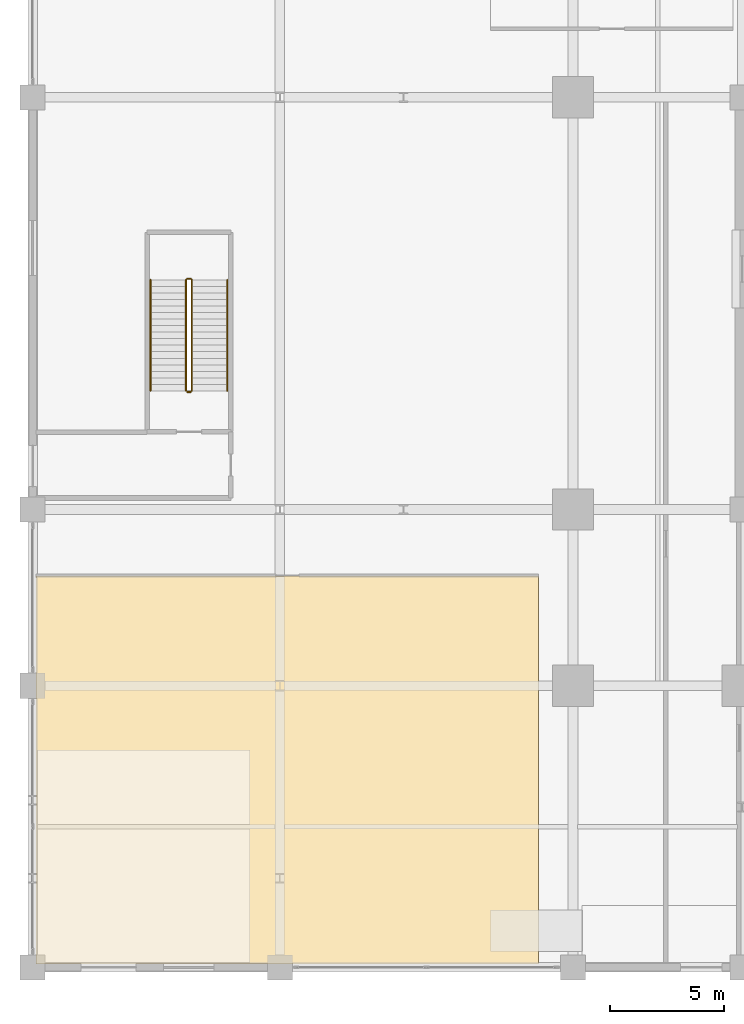
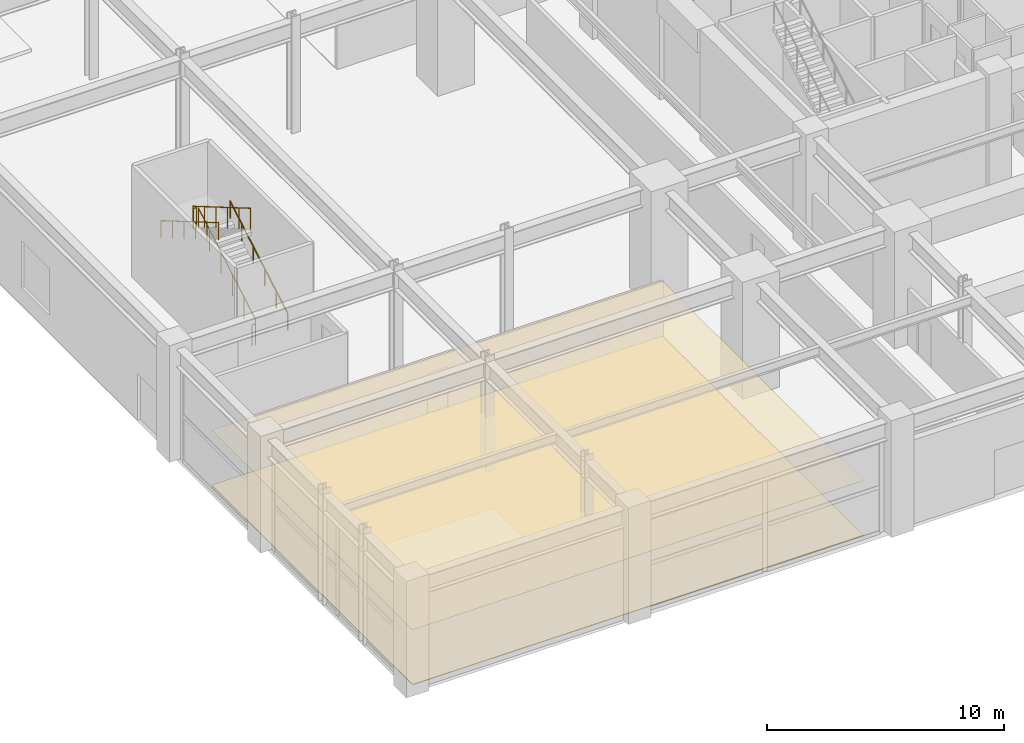
# One storey, part 35 of 41: 6 railings, 2 coverings.
"""IFC4 building model written with IfcOpenShell, lengths in metres."""

from ifc_helpers import new_model, si_unit, direction, frame, origin, origin_2d, place, context, subcontext, project, spatial, polyline, circle, outline, extrude, material, layer, layer_set, type_object, element, save


model = new_model("IFC4")

# Units and contexts
model_context = context("Model", 3, precision=1e-05, world=origin(), true_north=direction((0.0, 1.0)))
body_context = subcontext(model_context, "Body", "Model", "MODEL_VIEW")
ifc_project = project(units=[si_unit("LENGTHUNIT", "METRE"), si_unit("AREAUNIT", "SQUARE_METRE"), si_unit("VOLUMEUNIT", "CUBIC_METRE"), si_unit("PLANEANGLEUNIT", "RADIAN"), si_unit("MASSUNIT", "GRAM", prefix="KILO")], contexts=[model_context])

# Site, building, storey
site_placement = place(None, origin())
site = spatial("IfcSite", under=ifc_project, at=site_placement, CompositionType="ELEMENT")
building_placement = place(site_placement, origin())
building = spatial("IfcBuilding", under=site, at=building_placement, Name="Kovane Verandah Tower", CompositionType="ELEMENT")
storey_placement = place(building_placement, origin())
storey = spatial("IfcBuildingStorey", under=building, at=storey_placement, Name="L00", CompositionType="ELEMENT", Elevation=0.0)

# Coverings
ifc_material_1 = material(Name="Perforated Acoustic Mineral-Fibre Ceiling Tile", Category="gypsum")
ifc_layer_1 = layer(ifc_material_1, 0.02490234375)
ifc_layer_set_1 = layer_set([ifc_layer_1], Name="Perforated Acoustic Mineral-Fibre Ceiling Tile")
covering_type_1 = type_object("IfcCoveringType", Name="CV-CEIL-25", PredefinedType="CEILING", material=ifc_layer_set_1)
covering_1_placement = place(storey_placement, frame((0.0, 0.0, 2.824951171875)))
element("IfcCovering", 1, at=covering_1_placement, inside=storey, type_object=covering_type_1, Name="L00 West Promenade Retail Pavilion Acoustic Ceiling", PredefinedType="CEILING", context=body_context, shape_type="SweptSolid", body=[
    extrude(outline(polyline([(-1.85009765625, -1.35009765625), (20.10009765625, -1.35009765625), (20.10009765625, 15.60009765625), (-1.85009765625, 15.60009765625), (-1.85009765625, -1.35009765625)])), origin(), (0.0, 0.0, 1.0), 0.025146484375),
])
ifc_material_2 = material(Name="Polished Terrazzo and Raised-Access Carpet Tile Finish", Category="concrete")
ifc_layer_2 = layer(ifc_material_2, 0.030029296875)
ifc_layer_set_2 = layer_set([ifc_layer_2], Name="Polished Terrazzo and Raised-Access Carpet Tile Finish")
covering_type_2 = type_object("IfcCoveringType", Name="CV-FLOR-30", PredefinedType="FLOORING", material=ifc_layer_set_2)
covering_2_placement = place(storey_placement, origin())
element("IfcCovering", 2, at=covering_2_placement, inside=storey, type_object=covering_type_2, Name="L00 West Promenade Retail Pavilion Floor Finish", PredefinedType="FLOORING", context=body_context, shape_type="SweptSolid", body=[
    extrude(outline(polyline([(-1.85009765625, -1.35009765625), (20.10009765625, -1.35009765625), (20.10009765625, 15.60009765625), (-1.85009765625, 15.60009765625), (-1.85009765625, -1.35009765625)])), origin(), (0.0, 0.0, 1.0), 0.030029296875),
])

# Railings
ifc_material_3 = material(Name="Brushed Stainless Steel Handrail", Category="steel")
railing_type_1 = type_object("IfcRailingType", Name="RL-HAND-920", PredefinedType="HANDRAIL", material=ifc_material_3)
railing_1_placement = place(storey_placement, frame((6.510009765625, 23.679931640625, 0.166748046875)))
element("IfcRailing", 3, at=railing_1_placement, inside=storey, type_object=railing_type_1, Name="L00 ST-04 stair handrail 1", PredefinedType="HANDRAIL", context=body_context, shape_type="SweptSolid", body=[
    extrude(circle(Radius=0.02392578125, at=origin_2d()), frame((0.0, 0.0, 0.8759765625), z_axis=(0.0, 0.863234098208, 0.504803815052), x_axis=(-1.0, 0.0, 0.0)), (0.0, 0.0, 1.0), 5.612548828125),
    extrude(circle(Radius=0.02099609375, at=origin_2d()), origin(), (0.0, 0.0, 1.0), 0.851806640625),
    extrude(circle(Radius=0.02099609375, at=origin_2d()), frame((0.0, 0.968994140625, 0.566650390625)), (0.0, 0.0, 1.0), 0.851806640625),
    extrude(circle(Radius=0.02099609375, at=origin_2d()), frame((0.0, 1.93798828125, 1.13330078125)), (0.0, 0.0, 1.0), 0.851806640625),
    extrude(circle(Radius=0.02099609375, at=origin_2d()), frame((0.0, 2.906982421875, 1.699951171875)), (0.0, 0.0, 1.0), 0.851806640625),
    extrude(circle(Radius=0.02099609375, at=origin_2d()), frame((0.0, 3.8759765625, 2.2666015625)), (0.0, 0.0, 1.0), 0.851806640625),
    extrude(circle(Radius=0.02099609375, at=origin_2d()), frame((0.0, 4.844970703125, 2.833251953125)), (0.0, 0.0, 1.0), 0.851806640625),
])
railing_2_placement = place(storey_placement, frame((3.14990234375, 28.52490234375, 3.166748046875)))
element("IfcRailing", 4, at=railing_2_placement, inside=storey, type_object=railing_type_1, Name="L00 ST-04 stair handrail 2", PredefinedType="HANDRAIL", context=body_context, shape_type="SweptSolid", body=[
    extrude(circle(Radius=0.02392578125, at=origin_2d()), frame((0.0, 0.0, 0.8759765625), z_axis=(0.0, -0.863234098208, 0.504803815052), x_axis=(1.0, 0.0, 0.0)), (0.0, 0.0, 1.0), 5.612548828125),
    extrude(circle(Radius=0.02099609375, at=origin_2d()), origin(), (0.0, 0.0, 1.0), 0.851806640625),
    extrude(circle(Radius=0.02099609375, at=origin_2d()), frame((0.0, -0.968994140625, 0.566650390625)), (0.0, 0.0, 1.0), 0.851806640625),
    extrude(circle(Radius=0.02099609375, at=origin_2d()), frame((0.0, -1.93798828125, 1.13330078125)), (0.0, 0.0, 1.0), 0.851806640625),
    extrude(circle(Radius=0.02099609375, at=origin_2d()), frame((0.0, -2.906982421875, 1.699951171875)), (0.0, 0.0, 1.0), 0.851806640625),
    extrude(circle(Radius=0.02099609375, at=origin_2d()), frame((0.0, -3.8759765625, 2.2666015625)), (0.0, 0.0, 1.0), 0.851806640625),
    extrude(circle(Radius=0.02099609375, at=origin_2d()), frame((0.0, -4.844970703125, 2.833251953125)), (0.0, 0.0, 1.0), 0.851806640625),
])
ifc_material_4 = material(Name="Painted Steel Stairwell Guardrail", Category="steel")
railing_type_2 = type_object("IfcRailingType", Name="RL-STGUARD-1120", PredefinedType="GUARDRAIL", material=ifc_material_4)
railing_3_placement = place(storey_placement, frame((4.9599609375, 23.679931640625, 0.166748046875)))
element("IfcRailing", 5, at=railing_3_placement, inside=storey, type_object=railing_type_2, Name="L00 ST-04 stair guard 1", PredefinedType="GUARDRAIL", context=body_context, shape_type="SweptSolid", body=[
    extrude(circle(Radius=0.02392578125, at=origin_2d()), frame((0.0, 0.0, 1.076171875), z_axis=(0.0, 0.863234098208, 0.504803815052), x_axis=(-1.0, 0.0, 0.0)), (0.0, 0.0, 1.0), 5.612548828125),
    extrude(circle(Radius=0.02099609375, at=origin_2d()), origin(), (0.0, 0.0, 1.0), 1.052001953125),
    extrude(circle(Radius=0.02099609375, at=origin_2d()), frame((0.0, 0.968994140625, 0.566650390625)), (0.0, 0.0, 1.0), 1.052001953125),
    extrude(circle(Radius=0.02099609375, at=origin_2d()), frame((0.0, 1.93798828125, 1.13330078125)), (0.0, 0.0, 1.0), 1.052001953125),
    extrude(circle(Radius=0.02099609375, at=origin_2d()), frame((0.0, 2.906982421875, 1.699951171875)), (0.0, 0.0, 1.0), 1.052001953125),
    extrude(circle(Radius=0.02099609375, at=origin_2d()), frame((0.0, 3.8759765625, 2.2666015625)), (0.0, 0.0, 1.0), 1.052001953125),
    extrude(circle(Radius=0.02099609375, at=origin_2d()), frame((0.0, 4.844970703125, 2.833251953125)), (0.0, 0.0, 1.0), 1.052001953125),
])
railing_4_placement = place(storey_placement, frame((4.909912109375, 28.574951171875, 3.0)))
element("IfcRailing", 6, at=railing_4_placement, inside=storey, type_object=railing_type_2, Name="L00 ST-04 stair guard 2", PredefinedType="GUARDRAIL", context=body_context, shape_type="SweptSolid", body=[
    extrude(circle(Radius=0.02392578125, at=origin_2d()), frame((0.0, 0.0, 1.076171875), z_axis=(-1.0, 0.0, 0.0), x_axis=(0.0, -1.0, 0.0)), (0.0, 0.0, 1.0), 0.159912109375),
    extrude(circle(Radius=0.02099609375, at=origin_2d()), origin(), (0.0, 0.0, 1.0), 1.052001953125),
    extrude(circle(Radius=0.02099609375, at=origin_2d()), frame((-0.159912109375, 0.0, 0.0)), (0.0, 0.0, 1.0), 1.052001953125),
])
railing_5_placement = place(storey_placement, frame((4.699951171875, 28.52490234375, 3.166748046875)))
element("IfcRailing", 7, at=railing_5_placement, inside=storey, type_object=railing_type_2, Name="L00 ST-04 stair guard 3", PredefinedType="GUARDRAIL", context=body_context, shape_type="SweptSolid", body=[
    extrude(circle(Radius=0.02392578125, at=origin_2d()), frame((0.0, 0.0, 1.076171875), z_axis=(0.0, -0.863234098208, 0.504803815052), x_axis=(1.0, 0.0, 0.0)), (0.0, 0.0, 1.0), 5.612548828125),
    extrude(circle(Radius=0.02099609375, at=origin_2d()), origin(), (0.0, 0.0, 1.0), 1.052001953125),
    extrude(circle(Radius=0.02099609375, at=origin_2d()), frame((0.0, -0.968994140625, 0.566650390625)), (0.0, 0.0, 1.0), 1.052001953125),
    extrude(circle(Radius=0.02099609375, at=origin_2d()), frame((0.0, -1.93798828125, 1.13330078125)), (0.0, 0.0, 1.0), 1.052001953125),
    extrude(circle(Radius=0.02099609375, at=origin_2d()), frame((0.0, -2.906982421875, 1.699951171875)), (0.0, 0.0, 1.0), 1.052001953125),
    extrude(circle(Radius=0.02099609375, at=origin_2d()), frame((0.0, -3.8759765625, 2.2666015625)), (0.0, 0.0, 1.0), 1.052001953125),
    extrude(circle(Radius=0.02099609375, at=origin_2d()), frame((0.0, -4.844970703125, 2.833251953125)), (0.0, 0.0, 1.0), 1.052001953125),
])
railing_6_placement = place(storey_placement, frame((4.909912109375, 23.6298828125, 0.0)))
element("IfcRailing", 8, at=railing_6_placement, inside=storey, type_object=railing_type_2, Name="L00 ST-04 stair guard 4", PredefinedType="GUARDRAIL", context=body_context, shape_type="SweptSolid", body=[
    extrude(circle(Radius=0.02392578125, at=origin_2d()), frame((0.0, 0.0, 1.076171875), z_axis=(-1.0, 0.0, 0.0), x_axis=(0.0, -1.0, 0.0)), (0.0, 0.0, 1.0), 0.159912109375),
    extrude(circle(Radius=0.02099609375, at=origin_2d()), origin(), (0.0, 0.0, 1.0), 1.052001953125),
    extrude(circle(Radius=0.02099609375, at=origin_2d()), frame((-0.159912109375, 0.0, 0.0)), (0.0, 0.0, 1.0), 1.052001953125),
])

save(model, "model.ifc")
